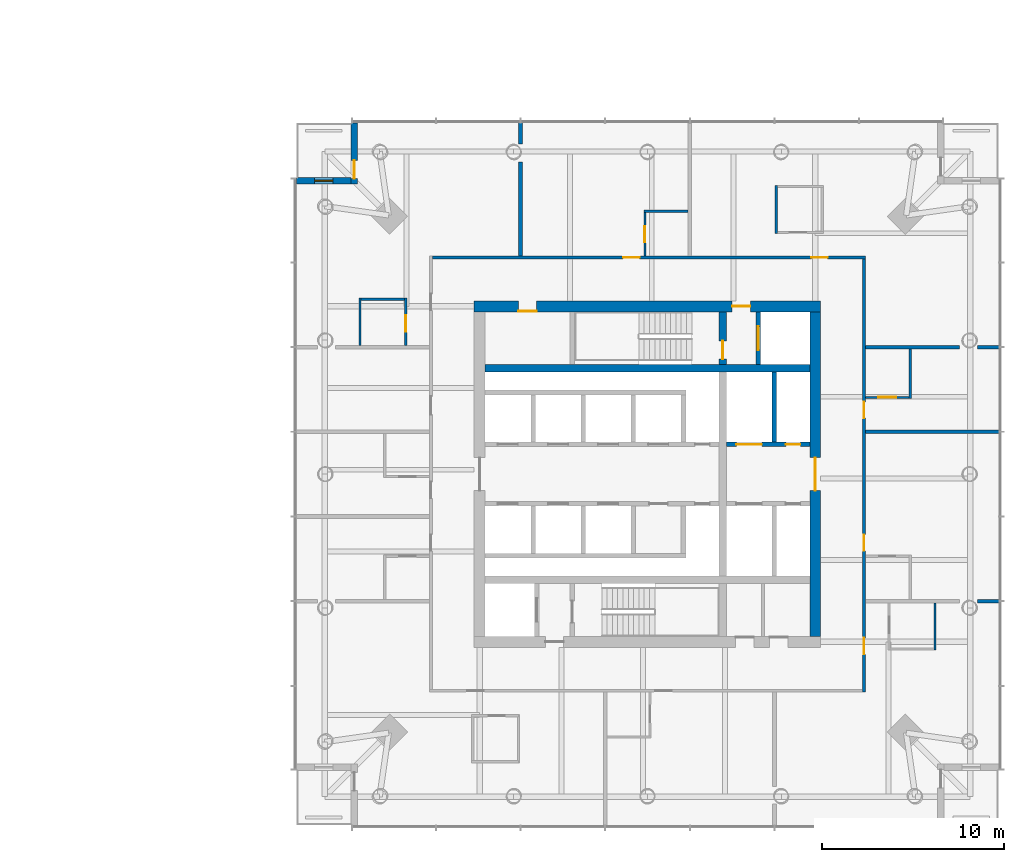
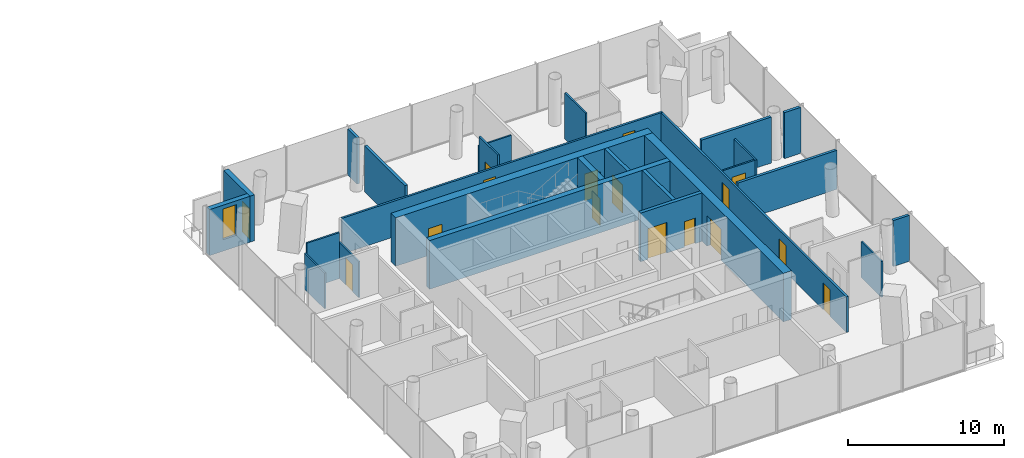
# One storey, part 15 of 26: 26 walls, 16 doors, 1 window, 17 openings.
"""IFC4 building model written with IfcOpenShell, lengths in metres."""

from ifc_helpers import new_model, si_unit, direction, frame, frame_2d, origin, place, context, subcontext, project, spatial, rectangle, extrude, material, layer, layer_set, type_object, element, fill, save


model = new_model("IFC4")

# Units and contexts
model_context = context("Model", 3, precision=1e-05, world=origin(), true_north=direction((0.0, 1.0)))
body_context = subcontext(model_context, "Body", "Model", "MODEL_VIEW")
ifc_project = project(units=[si_unit("LENGTHUNIT", "METRE"), si_unit("AREAUNIT", "SQUARE_METRE"), si_unit("VOLUMEUNIT", "CUBIC_METRE"), si_unit("PLANEANGLEUNIT", "RADIAN"), si_unit("MASSUNIT", "GRAM", prefix="KILO")], contexts=[model_context])

# Site, building, storey
site_placement = place(None, origin())
site = spatial("IfcSite", under=ifc_project, at=site_placement, CompositionType="ELEMENT")
building_placement = place(site_placement, origin())
building = spatial("IfcBuilding", under=site, at=building_placement, Name="Ostroluk Exchange", CompositionType="ELEMENT")
storey_placement = place(building_placement, frame((0.0, 0.0, 51.39990234375)))
storey = spatial("IfcBuildingStorey", under=building, at=storey_placement, Name="L12", CompositionType="ELEMENT", Elevation=51.39990234375)

# Wall
ifc_material_1 = material(Name="Concrete C50/60", Category="concrete")
ifc_layer_1 = layer(ifc_material_1, 0.39990234375)
ifc_layer_set_1 = layer_set([ifc_layer_1], Name="Core cross wall 400 C50/60")
wall_type_1 = type_object("IfcWallType", Name="Core cross wall 400 C50/60", PredefinedType="SHEAR", material=ifc_layer_set_1)
wall_1_placement = place(storey_placement, frame((108.10009765625, 51.800048828125, 0.0), z_axis=(0.0, 0.0, 1.0), x_axis=(1.0, 0.0, 0.0)))
element("IfcWall", 1, at=wall_1_placement, inside=storey, type_object=wall_type_1, Name="T2 core wall XN", PredefinedType="SHEAR", context=body_context, shape_type="SweptSolid", body=[
    extrude(rectangle(XDim=17.7998046875, YDim=0.39990234375, at=frame_2d((8.89990234375, 0.0))), origin(), (0.0, 0.0, 1.0), 3.800048828125),
])

# Wall, opening, door
wall_2_placement = place(storey_placement, frame((121.1298828125, 52.0, 0.0), z_axis=(0.0, 0.0, 1.0), x_axis=(0.0, 1.0, 0.0)))
wall_2 = element("IfcWall", 2, at=wall_2_placement, inside=storey, type_object=wall_type_1, Name="T2 core wall YE3", PredefinedType="SHEAR", context=body_context, shape_type="SweptSolid", body=[
    extrude(rectangle(XDim=2.89990234375, YDim=0.39990234375, at=frame_2d((1.449951171875, 0.0))), origin(), (0.0, 0.0, 1.0), 3.800048828125),
])
opening_1_placement = place(wall_2_placement, frame((0.300048828125, 0.0, 0.0)))
opening_1 = element("IfcOpeningElement", 3, at=opening_1_placement, cuts=wall_2, Name="Opening FD60", PredefinedType="OPENING", context=body_context, shape_type="SweptSolid", body=[
    extrude(rectangle(XDim=1.0, YDim=2.10009765625, at=frame_2d((0.5, 1.050048828125))), frame((0.0, 0.2099609375, 0.0), z_axis=(0.0, -1.0, 0.0), x_axis=(1.0, 0.0, 0.0)), (0.0, 0.0, 1.0), 0.419921875),
])
ifc_material_2 = material(Name="Steel", Category="steel")
door_type_1 = type_object("IfcDoorType", Name="Fire door EI 60 1000 x 2100", OperationType="SINGLE_SWING_LEFT", PredefinedType="DOOR", material=ifc_material_2)
door_1_placement = place(opening_1_placement, origin())
door_1 = element("IfcDoor", 4, at=door_1_placement, inside=storey, type_object=door_type_1, Name="Stair T2-S2 door", OperationType="SINGLE_SWING_LEFT", OverallHeight=2.10009765625, OverallWidth=1.0, PredefinedType="DOOR", context=body_context, shape_type="SweptSolid", body=[
    extrude(rectangle(XDim=1.0, YDim=2.10009765625, at=frame_2d((0.5, 1.050048828125))), frame((0.0, 0.02490234375, 0.0), z_axis=(0.0, -1.0, 0.0), x_axis=(1.0, 0.0, 0.0)), (0.0, 0.0, 1.0), 0.050048828125),
])
fill(opening_1, door_1)

ifc_material_3 = material(Name="Concrete C40/50", Category="concrete")
ifc_layer_2 = layer(ifc_material_3, 0.25)
ifc_layer_set_2 = layer_set([ifc_layer_2], Name="Core shaft wall 250")
wall_type_2 = type_object("IfcWallType", Name="Core shaft wall 250", PredefinedType="SHEAR", material=ifc_layer_set_2)
wall_3_placement = place(storey_placement, frame((123.074951171875, 52.0, 0.0), z_axis=(0.0, 0.0, 1.0), x_axis=(0.0, 1.0, 0.0)))
wall_3 = element("IfcWall", 5, at=wall_3_placement, inside=storey, type_object=wall_type_2, Name="Firefighting lift shaft wall", PredefinedType="SHEAR", context=body_context, shape_type="SweptSolid", body=[
    extrude(rectangle(XDim=2.89990234375, YDim=0.25, at=frame_2d((1.449951171875, 0.0))), origin(), (0.0, 0.0, 1.0), 3.800048828125),
])
opening_2_placement = place(wall_3_placement, frame((0.800048828125, 0.0, 0.0)))
opening_2 = element("IfcOpeningElement", 6, at=opening_2_placement, cuts=wall_3, Name="Opening LD2", PredefinedType="OPENING", context=body_context, shape_type="SweptSolid", body=[
    extrude(rectangle(XDim=1.300048828125, YDim=2.199951171875, at=frame_2d((0.64990234375, 1.10009765625))), frame((0.0, 0.135009765625, 0.0), z_axis=(0.0, -1.0, 0.0), x_axis=(1.0, 0.0, 0.0)), (0.0, 0.0, 1.0), 0.27001953125),
])
ifc_material_4 = material(Name="Stainless steel", Category="steel")
door_type_2 = type_object("IfcDoorType", Name="Lift landing door E 60 1300 x 2200", OperationType="DOUBLE_DOOR_SLIDING", PredefinedType="DOOR", material=ifc_material_4)
door_2_placement = place(opening_2_placement, origin())
door_2 = element("IfcDoor", 7, at=door_2_placement, inside=storey, type_object=door_type_2, Name="Lift HF2 landing door", OperationType="DOUBLE_DOOR_SLIDING", OverallHeight=2.199951171875, OverallWidth=1.300048828125, PredefinedType="DOOR", context=body_context, shape_type="SweptSolid", body=[
    extrude(rectangle(XDim=1.300048828125, YDim=2.199951171875, at=frame_2d((0.64990234375, 1.10009765625))), frame((0.0, 0.02490234375, 0.0), z_axis=(0.0, -1.0, 0.0), x_axis=(1.0, 0.0, 0.0)), (0.0, 0.0, 1.0), 0.050048828125),
])
fill(opening_2, door_2)

# Wall
wall_4_placement = place(storey_placement, frame((123.955078125, 47.75, 0.0), z_axis=(0.0, 0.0, 1.0), x_axis=(0.0, 1.0, 0.0)))
element("IfcWall", 8, at=wall_4_placement, inside=storey, type_object=wall_type_2, Name="Lift shaft wall", PredefinedType="SHEAR", context=body_context, shape_type="SweptSolid", body=[
    extrude(rectangle(XDim=3.85009765625, YDim=0.25, at=frame_2d((1.925048828125, 0.0))), origin(), (0.0, 0.0, 1.0), 3.800048828125),
])

# Wall, openings, doors
wall_5_placement = place(storey_placement, frame((121.330078125, 47.625, 0.0), z_axis=(0.0, 0.0, 1.0), x_axis=(1.0, 0.0, 0.0)))
wall_5 = element("IfcWall", 9, at=wall_5_placement, inside=storey, type_object=wall_type_2, Name="Lift shaft front wall", PredefinedType="SHEAR", context=body_context, shape_type="SweptSolid", body=[
    extrude(rectangle(XDim=4.56982421875, YDim=0.25, at=frame_2d((2.284912109375, 0.0))), origin(), (0.0, 0.0, 1.0), 3.800048828125),
])
opening_3_placement = place(wall_5_placement, frame((0.550048828125, 0.0, 0.0)))
opening_3 = element("IfcOpeningElement", 10, at=opening_3_placement, cuts=wall_5, Name="Opening LD3", PredefinedType="OPENING", context=body_context, shape_type="SweptSolid", body=[
    extrude(rectangle(XDim=1.39990234375, YDim=2.39990234375, at=frame_2d((0.699951171875, 1.199951171875))), frame((0.0, 0.135009765625, 0.0), z_axis=(0.0, -1.0, 0.0), x_axis=(1.0, 0.0, 0.0)), (0.0, 0.0, 1.0), 0.27001953125),
])
opening_4_placement = place(wall_5_placement, frame((3.260009765625, 0.0, 0.0)))
opening_4 = element("IfcOpeningElement", 11, at=opening_4_placement, cuts=wall_5, Name="Opening RD60", PredefinedType="OPENING", context=body_context, shape_type="SweptSolid", body=[
    extrude(rectangle(XDim=0.800048828125, YDim=2.0, at=frame_2d((0.39990234375, 1.0))), frame((0.0, 0.135009765625, 0.0), z_axis=(0.0, -1.0, 0.0), x_axis=(1.0, 0.0, 0.0)), (0.0, 0.0, 1.0), 0.27001953125),
])
ifc_material_5 = material(Name="Stainless steel", Category="steel")
door_type_3 = type_object("IfcDoorType", Name="Goods lift landing door E 60 1400 x 2400", OperationType="DOUBLE_DOOR_SLIDING", PredefinedType="DOOR", material=ifc_material_5)
door_3_placement = place(opening_3_placement, origin())
door_3 = element("IfcDoor", 12, at=door_3_placement, inside=storey, type_object=door_type_3, Name="Lift HS1 landing door", OperationType="DOUBLE_DOOR_SLIDING", OverallHeight=2.39990234375, OverallWidth=1.39990234375, PredefinedType="DOOR", context=body_context, shape_type="SweptSolid", body=[
    extrude(rectangle(XDim=1.39990234375, YDim=2.39990234375, at=frame_2d((0.699951171875, 1.199951171875))), frame((0.0, 0.02490234375, 0.0), z_axis=(0.0, -1.0, 0.0), x_axis=(1.0, 0.0, 0.0)), (0.0, 0.0, 1.0), 0.050048828125),
])
fill(opening_3, door_3)
ifc_material_6 = material(Name="Steel", Category="steel")
door_type_4 = type_object("IfcDoorType", Name="Riser access door EI 60 800 x 2000", OperationType="SINGLE_SWING_LEFT", PredefinedType="DOOR", material=ifc_material_6)
door_4_placement = place(opening_4_placement, origin())
door_4 = element("IfcDoor", 13, at=door_4_placement, inside=storey, type_object=door_type_4, Name="Riser access door", OperationType="SINGLE_SWING_RIGHT", OverallHeight=2.0, OverallWidth=0.800048828125, PredefinedType="DOOR", context=body_context, shape_type="SweptSolid", body=[
    extrude(rectangle(XDim=0.800048828125, YDim=2.0, at=frame_2d((0.39990234375, 1.0))), frame((0.0, 0.02490234375, 0.0), z_axis=(0.0, -1.0, 0.0), x_axis=(1.0, 0.0, 0.0)), (0.0, 0.0, 1.0), 0.050048828125),
])
fill(opening_4, door_4)

ifc_material_7 = material(Name="Concrete C50/60", Category="concrete")
ifc_layer_3 = layer(ifc_material_7, 0.60009765625)
ifc_layer_set_3 = layer_set([ifc_layer_3], Name="Core wall 600 C50/60")
wall_type_3 = type_object("IfcWallType", Name="Core wall 600 C50/60", PredefinedType="SHEAR", material=ifc_layer_set_3)
wall_6_placement = place(storey_placement, frame((107.5, 55.199951171875, 0.0), z_axis=(0.0, 0.0, 1.0), x_axis=(1.0, 0.0, 0.0)))
wall_6 = element("IfcWall", 14, at=wall_6_placement, inside=storey, type_object=wall_type_3, Name="T2 core wall N", PredefinedType="SHEAR", context=body_context, shape_type="SweptSolid", body=[
    extrude(rectangle(XDim=19.0, YDim=0.60009765625, at=frame_2d((9.5, 0.0))), origin(), (0.0, 0.0, 1.0), 3.800048828125),
])
opening_5_placement = place(wall_6_placement, frame((14.139892578125, 0.0, 0.0)))
opening_5 = element("IfcOpeningElement", 15, at=opening_5_placement, cuts=wall_6, Name="Opening FD60", PredefinedType="OPENING", context=body_context, shape_type="SweptSolid", body=[
    extrude(rectangle(XDim=1.0, YDim=2.10009765625, at=frame_2d((0.5, 1.050048828125))), frame((0.0, 0.31005859375, 0.0), z_axis=(0.0, -1.0, 0.0), x_axis=(1.0, 0.0, 0.0)), (0.0, 0.0, 1.0), 0.6201171875),
])
opening_6_placement = place(wall_6_placement, frame((2.425048828125, 0.0, 0.0)))
opening_6 = element("IfcOpeningElement", 16, at=opening_6_placement, cuts=wall_6, Name="Opening FD60", PredefinedType="OPENING", context=body_context, shape_type="SweptSolid", body=[
    extrude(rectangle(XDim=1.0, YDim=2.10009765625, at=frame_2d((0.5, 1.050048828125))), frame((0.0, 0.31005859375, 0.0), z_axis=(0.0, -1.0, 0.0), x_axis=(1.0, 0.0, 0.0)), (0.0, 0.0, 1.0), 0.6201171875),
])
door_5_placement = place(opening_5_placement, origin())
door_5 = element("IfcDoor", 17, at=door_5_placement, inside=storey, type_object=door_type_1, Name="Firefighting lobby door", OperationType="SINGLE_SWING_RIGHT", OverallHeight=2.10009765625, OverallWidth=1.0, PredefinedType="DOOR", context=body_context, shape_type="SweptSolid", body=[
    extrude(rectangle(XDim=1.0, YDim=2.10009765625, at=frame_2d((0.5, 1.050048828125))), frame((0.0, 0.02490234375, 0.0), z_axis=(0.0, -1.0, 0.0), x_axis=(1.0, 0.0, 0.0)), (0.0, 0.0, 1.0), 0.050048828125),
])
fill(opening_5, door_5)
door_6_placement = place(opening_6_placement, origin())
door_6 = element("IfcDoor", 18, at=door_6_placement, inside=storey, type_object=door_type_1, Name="Room-service pantry door", OperationType="SINGLE_SWING_LEFT", OverallHeight=2.10009765625, OverallWidth=1.0, PredefinedType="DOOR", context=body_context, shape_type="SweptSolid", body=[
    extrude(rectangle(XDim=1.0, YDim=2.10009765625, at=frame_2d((0.5, 1.050048828125))), frame((0.0, -0.23974609375, 0.0), z_axis=(0.0, -1.0, 0.0), x_axis=(1.0, 0.0, 0.0)), (0.0, 0.0, 1.0), 0.050048828125),
])
fill(opening_6, door_6)

# Wall, opening, door
wall_7_placement = place(storey_placement, frame((126.199951171875, 37.10009765625, 0.0), z_axis=(0.0, 0.0, 1.0), x_axis=(0.0, 1.0, 0.0)))
wall_7 = element("IfcWall", 19, at=wall_7_placement, inside=storey, type_object=wall_type_3, Name="T2 core wall E", PredefinedType="SHEAR", context=body_context, shape_type="SweptSolid", body=[
    extrude(rectangle(XDim=17.7998046875, YDim=0.60009765625, at=frame_2d((8.89990234375, 0.0))), origin(), (0.0, 0.0, 1.0), 3.800048828125),
])
opening_7_placement = place(wall_7_placement, frame((8.0, 0.0, 0.0)))
opening_7 = element("IfcOpeningElement", 20, at=opening_7_placement, cuts=wall_7, Name="Opening FD30D", PredefinedType="OPENING", context=body_context, shape_type="SweptSolid", body=[
    extrude(rectangle(XDim=1.800048828125, YDim=2.39990234375, at=frame_2d((0.89990234375, 1.199951171875))), frame((0.0, 0.31005859375, 0.0), z_axis=(0.0, -1.0, 0.0), x_axis=(1.0, 0.0, 0.0)), (0.0, 0.0, 1.0), 0.6201171875),
])
ifc_material_8 = material(Name="Timber", Category="wood")
door_type_5 = type_object("IfcDoorType", Name="Lobby double door EI 30 1800 x 2400", OperationType="DOUBLE_DOOR_SINGLE_SWING", PredefinedType="DOOR", material=ifc_material_8)
door_7_placement = place(opening_7_placement, origin())
door_7 = element("IfcDoor", 21, at=door_7_placement, inside=storey, type_object=door_type_5, Name="Lift lobby doors", OperationType="DOUBLE_DOOR_SINGLE_SWING", OverallHeight=2.39990234375, OverallWidth=1.800048828125, PredefinedType="DOOR", context=body_context, shape_type="SweptSolid", body=[
    extrude(rectangle(XDim=1.800048828125, YDim=2.39990234375, at=frame_2d((0.89990234375, 1.199951171875))), frame((0.0, 0.02490234375, 0.0), z_axis=(0.0, -1.0, 0.0), x_axis=(1.0, 0.0, 0.0)), (0.0, 0.0, 1.0), 0.050048828125),
])
fill(opening_7, door_7)

ifc_material_9 = material(Name="Limestone", Category="masonry")
ifc_layer_4 = layer(ifc_material_9, 0.35009765625)
ifc_layer_set_4 = layer_set([ifc_layer_4], Name="Limestone facade wall 350")
wall_type_4 = type_object("IfcWallType", Name="Limestone facade wall 350", PredefinedType="SOLIDWALL", material=ifc_layer_set_4)
wall_8_placement = place(storey_placement, frame((100.925048828125, 65.25, 0.0), z_axis=(0.0, 0.0, 1.0), x_axis=(0.0, -1.0, 0.0)))
wall_8 = element("IfcWall", 22, at=wall_8_placement, inside=storey, type_object=wall_type_4, Name="Hotel tower NW corner wall L12 a", PredefinedType="SOLIDWALL", context=body_context, shape_type="SweptSolid", body=[
    extrude(rectangle(XDim=3.35009765625, YDim=0.35009765625, at=frame_2d((1.675048828125, 0.0))), origin(), (0.0, 0.0, 1.0), 3.60009765625),
])
opening_8_placement = place(wall_8_placement, frame((2.050048828125, 0.0, 0.0)))
opening_8 = element("IfcOpeningElement", 23, at=opening_8_placement, cuts=wall_8, Name="Opening D-B1", PredefinedType="OPENING", context=body_context, shape_type="SweptSolid", body=[
    extrude(rectangle(XDim=1.0, YDim=2.39990234375, at=frame_2d((0.5, 1.199951171875))), frame((0.0, 0.18505859375, 0.0), z_axis=(0.0, -1.0, 0.0), x_axis=(1.0, 0.0, 0.0)), (0.0, 0.0, 1.0), 0.3701171875),
])
ifc_material_10 = material(Name="Bronze framed glazed door", Category="aluminium")
door_type_6 = type_object("IfcDoorType", Name="Balcony door 1000 x 2400", OperationType="SINGLE_SWING_LEFT", PredefinedType="DOOR", material=ifc_material_10)
door_8_placement = place(opening_8_placement, origin())
door_8 = element("IfcDoor", 24, at=door_8_placement, inside=storey, type_object=door_type_6, Name="Hotel tower NW balcony door L12", OperationType="SINGLE_SWING_RIGHT", OverallHeight=2.39990234375, OverallWidth=1.0, PredefinedType="DOOR", context=body_context, shape_type="SweptSolid", body=[
    extrude(rectangle(XDim=1.0, YDim=2.39990234375, at=frame_2d((0.5, 1.199951171875))), frame((0.0, 0.02490234375, 0.0), z_axis=(0.0, -1.0, 0.0), x_axis=(1.0, 0.0, 0.0)), (0.0, 0.0, 1.0), 0.050048828125),
])
fill(opening_8, door_8)

# Wall, opening, window
wall_9_placement = place(storey_placement, frame((100.75, 62.074951171875, 0.0), z_axis=(0.0, 0.0, 1.0), x_axis=(-1.0, 0.0, 0.0)))
wall_9 = element("IfcWall", 25, at=wall_9_placement, inside=storey, type_object=wall_type_4, Name="Hotel tower NW corner wall L12 b", PredefinedType="SOLIDWALL", context=body_context, shape_type="SweptSolid", body=[
    extrude(rectangle(XDim=3.0, YDim=0.35009765625, at=frame_2d((1.5, 0.0))), origin(), (0.0, 0.0, 1.0), 3.60009765625),
])
opening_9_placement = place(wall_9_placement, frame((1.0, 0.0, 0.89990234375)))
opening_9 = element("IfcOpeningElement", 26, at=opening_9_placement, cuts=wall_9, Name="Opening WN-L3", PredefinedType="OPENING", context=body_context, shape_type="SweptSolid", body=[
    extrude(rectangle(XDim=1.0, YDim=2.39990234375, at=frame_2d((0.5, 1.199951171875))), frame((0.0, 0.18505859375, 0.0), z_axis=(0.0, -1.0, 0.0), x_axis=(1.0, 0.0, 0.0)), (0.0, 0.0, 1.0), 0.3701171875),
])
ifc_material_11 = material(Name="Laminated clear glass", Category="glass")
window_type = type_object("IfcWindowType", Name="Hotel lancet window 1000 x 2400", PartitioningType="SINGLE_PANEL", PredefinedType="WINDOW", material=ifc_material_11)
window_placement = place(opening_9_placement, origin())
window = element("IfcWindow", 27, at=window_placement, inside=storey, type_object=window_type, Name="Hotel tower NW lancet window L12", OverallHeight=2.39990234375, OverallWidth=1.0, PartitioningType="SINGLE_PANEL", PredefinedType="WINDOW", context=body_context, shape_type="SweptSolid", body=[
    extrude(rectangle(XDim=1.0, YDim=2.39990234375, at=frame_2d((0.5, 1.199951171875))), frame((0.0, 0.030029296875, 0.0), z_axis=(0.0, -1.0, 0.0), x_axis=(1.0, 0.0, 0.0)), (0.0, 0.0, 1.0), 0.06005859375),
])
fill(opening_9, window)

# Walls
ifc_material_12 = material(Name="Gypsum plasterboard partition, moisture resistant", Category="gypsum")
ifc_layer_5 = layer(ifc_material_12, 0.1201171875)
ifc_layer_set_5 = layer_set([ifc_layer_5], Name="Plasterboard en-suite wall 120")
wall_type_5 = type_object("IfcWallType", Name="Plasterboard en-suite wall 120", PredefinedType="PARTITIONING", material=ifc_layer_set_5)
wall_10_placement = place(storey_placement, frame((132.77001953125, 38.935791015625, 0.0), z_axis=(0.0, 0.0, 1.0), x_axis=(0.0, -1.0, 0.0)))
element("IfcWall", 28, at=wall_10_placement, inside=storey, type_object=wall_type_5, Name="En-suite wall", PredefinedType="PARTITIONING", context=body_context, shape_type="SweptSolid", body=[
    extrude(rectangle(XDim=2.580078125, YDim=0.1201171875, at=frame_2d((1.2900390625, 0.0))), origin(), (0.0, 0.0, 1.0), 2.800048828125),
])
wall_11_placement = place(storey_placement, frame((131.409912109375, 50.144287109375, 0.0), z_axis=(0.0, 0.0, 1.0), x_axis=(0.0, 1.0, 0.0)))
element("IfcWall", 29, at=wall_11_placement, inside=storey, type_object=wall_type_5, Name="En-suite wall", PredefinedType="PARTITIONING", context=body_context, shape_type="SweptSolid", body=[
    extrude(rectangle(XDim=2.719970703125, YDim=0.1201171875, at=frame_2d((1.35986328125, 0.0))), origin(), (0.0, 0.0, 1.0), 2.84716796875),
])

# Wall, opening, door
wall_12_placement = place(storey_placement, frame((128.949951171875, 50.204345703125, 0.0), z_axis=(0.0, 0.0, 1.0), x_axis=(1.0, 0.0, 0.0)))
wall_12 = element("IfcWall", 30, at=wall_12_placement, inside=storey, type_object=wall_type_5, Name="En-suite wall", PredefinedType="PARTITIONING", context=body_context, shape_type="SweptSolid", body=[
    extrude(rectangle(XDim=2.400146484375, YDim=0.1201171875, at=frame_2d((1.2001953125, 0.0))), origin(), (0.0, 0.0, 1.0), 2.84716796875),
])
opening_10_placement = place(wall_12_placement, frame((0.699951171875, 0.0, 0.0)))
opening_10 = element("IfcOpeningElement", 31, at=opening_10_placement, cuts=wall_12, Name="Opening D-03", PredefinedType="OPENING", context=body_context, shape_type="SweptSolid", body=[
    extrude(rectangle(XDim=1.0, YDim=2.10009765625, at=frame_2d((0.5, 1.050048828125))), frame((0.0, 0.070068359375, 0.0), z_axis=(0.0, -1.0, 0.0), x_axis=(1.0, 0.0, 0.0)), (0.0, 0.0, 1.0), 0.14013671875),
])
ifc_material_13 = material(Name="Timber", Category="wood")
door_type_7 = type_object("IfcDoorType", Name="Internal door 1000 x 2100", OperationType="SINGLE_SWING_LEFT", PredefinedType="DOOR", material=ifc_material_13)
door_9_placement = place(opening_10_placement, origin())
door_9 = element("IfcDoor", 32, at=door_9_placement, inside=storey, type_object=door_type_7, Name="En-suite door 1203", OperationType="SINGLE_SWING_LEFT", OverallHeight=2.10009765625, OverallWidth=1.0, PredefinedType="DOOR", context=body_context, shape_type="SweptSolid", body=[
    extrude(rectangle(XDim=1.0, YDim=2.10009765625, at=frame_2d((0.5, 1.050048828125))), frame((0.0, 0.02490234375, 0.0), z_axis=(0.0, -1.0, 0.0), x_axis=(1.0, 0.0, 0.0)), (0.0, 0.0, 1.0), 0.050048828125),
])
fill(opening_10, door_9)

# Walls
wall_13_placement = place(storey_placement, frame((124.064208984375, 59.18994140625, 0.0), z_axis=(0.0, 0.0, 1.0), x_axis=(0.0, 1.0, 0.0)))
element("IfcWall", 33, at=wall_13_placement, inside=storey, type_object=wall_type_5, Name="En-suite wall", PredefinedType="PARTITIONING", context=body_context, shape_type="SweptSolid", body=[
    extrude(rectangle(XDim=2.64013671875, YDim=0.1201171875, at=frame_2d((1.320068359375, 0.0))), origin(), (0.0, 0.0, 1.0), 3.60009765625),
])
wall_14_placement = place(storey_placement, frame((119.221435546875, 60.409912109375, 0.0), z_axis=(0.0, 0.0, 1.0), x_axis=(-1.0, 0.0, 0.0)))
element("IfcWall", 34, at=wall_14_placement, inside=storey, type_object=wall_type_5, Name="En-suite wall", PredefinedType="PARTITIONING", context=body_context, shape_type="SweptSolid", body=[
    extrude(rectangle(XDim=2.419921875, YDim=0.1201171875, at=frame_2d((1.2099609375, 0.0))), origin(), (0.0, 0.0, 1.0), 2.84716796875),
])

# Wall, opening, door
wall_15_placement = place(storey_placement, frame((116.861328125, 57.949951171875, 0.0), z_axis=(0.0, 0.0, 1.0), x_axis=(0.0, 1.0, 0.0)))
wall_15 = element("IfcWall", 35, at=wall_15_placement, inside=storey, type_object=wall_type_5, Name="En-suite wall", PredefinedType="PARTITIONING", context=body_context, shape_type="SweptSolid", body=[
    extrude(rectangle(XDim=2.400146484375, YDim=0.1201171875, at=frame_2d((1.2001953125, 0.0))), origin(), (0.0, 0.0, 1.0), 3.60009765625),
])
opening_11_placement = place(wall_15_placement, frame((0.75, 0.0, 0.0)))
opening_11 = element("IfcOpeningElement", 36, at=opening_11_placement, cuts=wall_15, Name="Opening D-02", PredefinedType="OPENING", context=body_context, shape_type="SweptSolid", body=[
    extrude(rectangle(XDim=0.89990234375, YDim=2.10009765625, at=frame_2d((0.449951171875, 1.050048828125))), frame((0.0, 0.070068359375, 0.0), z_axis=(0.0, -1.0, 0.0), x_axis=(1.0, 0.0, 0.0)), (0.0, 0.0, 1.0), 0.14013671875),
])
ifc_material_14 = material(Name="Timber", Category="wood")
door_type_8 = type_object("IfcDoorType", Name="En-suite door 900 x 2100", OperationType="SINGLE_SWING_LEFT", PredefinedType="DOOR", material=ifc_material_14)
door_10_placement = place(opening_11_placement, origin())
door_10 = element("IfcDoor", 37, at=door_10_placement, inside=storey, type_object=door_type_8, Name="En-suite door 1205", OperationType="SINGLE_SWING_RIGHT", OverallHeight=2.10009765625, OverallWidth=0.89990234375, PredefinedType="DOOR", context=body_context, shape_type="SweptSolid", body=[
    extrude(rectangle(XDim=0.89990234375, YDim=2.10009765625, at=frame_2d((0.449951171875, 1.050048828125))), frame((0.0, 0.02490234375, 0.0), z_axis=(0.0, -1.0, 0.0), x_axis=(1.0, 0.0, 0.0)), (0.0, 0.0, 1.0), 0.050048828125),
])
fill(opening_11, door_10)

wall_16_placement = place(storey_placement, frame((103.75, 53.064208984375, 0.0), z_axis=(0.0, 0.0, 1.0), x_axis=(0.0, 1.0, 0.0)))
wall_16 = element("IfcWall", 38, at=wall_16_placement, inside=storey, type_object=wall_type_5, Name="En-suite wall", PredefinedType="PARTITIONING", context=body_context, shape_type="SweptSolid", body=[
    extrude(rectangle(XDim=2.580078125, YDim=0.1201171875, at=frame_2d((1.2900390625, 0.0))), origin(), (0.0, 0.0, 1.0), 2.800048828125),
])
opening_12_placement = place(wall_16_placement, frame((0.75, 0.0, 0.0)))
opening_12 = element("IfcOpeningElement", 39, at=opening_12_placement, cuts=wall_16, Name="Opening D-02", PredefinedType="OPENING", context=body_context, shape_type="SweptSolid", body=[
    extrude(rectangle(XDim=0.89990234375, YDim=2.10009765625, at=frame_2d((0.449951171875, 1.050048828125))), frame((0.0, 0.070068359375, 0.0), z_axis=(0.0, -1.0, 0.0), x_axis=(1.0, 0.0, 0.0)), (0.0, 0.0, 1.0), 0.14013671875),
])
door_11_placement = place(opening_12_placement, origin())
door_11 = element("IfcDoor", 40, at=door_11_placement, inside=storey, type_object=door_type_8, Name="En-suite door 1206", OperationType="SINGLE_SWING_LEFT", OverallHeight=2.10009765625, OverallWidth=0.89990234375, PredefinedType="DOOR", context=body_context, shape_type="SweptSolid", body=[
    extrude(rectangle(XDim=0.89990234375, YDim=2.10009765625, at=frame_2d((0.449951171875, 1.050048828125))), frame((0.0, 0.02490234375, 0.0), z_axis=(0.0, -1.0, 0.0), x_axis=(1.0, 0.0, 0.0)), (0.0, 0.0, 1.0), 0.050048828125),
])
fill(opening_12, door_11)

# Walls
wall_17_placement = place(storey_placement, frame((101.22998046875, 53.064208984375, 0.0), z_axis=(0.0, 0.0, 1.0), x_axis=(0.0, 1.0, 0.0)))
element("IfcWall", 41, at=wall_17_placement, inside=storey, type_object=wall_type_5, Name="En-suite wall", PredefinedType="PARTITIONING", context=body_context, shape_type="SweptSolid", body=[
    extrude(rectangle(XDim=2.580078125, YDim=0.1201171875, at=frame_2d((1.2900390625, 0.0))), origin(), (0.0, 0.0, 1.0), 2.800048828125),
])
wall_18_placement = place(storey_placement, frame((103.68994140625, 55.584228515625, 0.0), z_axis=(0.0, 0.0, 1.0), x_axis=(-1.0, 0.0, 0.0)))
element("IfcWall", 42, at=wall_18_placement, inside=storey, type_object=wall_type_5, Name="En-suite wall", PredefinedType="PARTITIONING", context=body_context, shape_type="SweptSolid", body=[
    extrude(rectangle(XDim=2.39990234375, YDim=0.1201171875, at=frame_2d((1.199951171875, 0.0))), origin(), (0.0, 0.0, 1.0), 3.60009765625),
])

# Wall, openings, doors
ifc_material_15 = material(Name="Gypsum plasterboard partition", Category="gypsum")
ifc_layer_6 = layer(ifc_material_15, 0.14990234375)
ifc_layer_set_6 = layer_set([ifc_layer_6], Name="Plasterboard partition 150")
wall_type_6 = type_object("IfcWallType", Name="Plasterboard partition 150", PredefinedType="PARTITIONING", material=ifc_layer_set_6)
wall_19_placement = place(storey_placement, frame((128.875, 34.050048828125, 0.0), z_axis=(0.0, 0.0, 1.0), x_axis=(0.0, 1.0, 0.0)))
wall_19 = element("IfcWall", 43, at=wall_19_placement, inside=storey, type_object=wall_type_6, Name="Corridor wall", PredefinedType="PARTITIONING", context=body_context, shape_type="SweptSolid", body=[
    extrude(rectangle(XDim=23.75, YDim=0.14990234375, at=frame_2d((11.875, 0.0))), origin(), (0.0, 0.0, 1.0), 2.800048828125),
])
opening_13_placement = place(wall_19_placement, frame((2.06787109375, 0.0, 0.0)))
opening_13 = element("IfcOpeningElement", 44, at=opening_13_placement, cuts=wall_19, Name="Opening D-01", PredefinedType="OPENING", context=body_context, shape_type="SweptSolid", body=[
    extrude(rectangle(XDim=0.89990234375, YDim=2.10009765625, at=frame_2d((0.449951171875, 1.050048828125))), frame((0.0, 0.0849609375, 0.0), z_axis=(0.0, -1.0, 0.0), x_axis=(1.0, 0.0, 0.0)), (0.0, 0.0, 1.0), 0.169921875),
])
opening_14_placement = place(wall_19_placement, frame((7.735595703125, 0.0, 0.0)))
opening_14 = element("IfcOpeningElement", 45, at=opening_14_placement, cuts=wall_19, Name="Opening D-01", PredefinedType="OPENING", context=body_context, shape_type="SweptSolid", body=[
    extrude(rectangle(XDim=0.89990234375, YDim=2.10009765625, at=frame_2d((0.449951171875, 1.050048828125))), frame((0.0, 0.0849609375, 0.0), z_axis=(0.0, -1.0, 0.0), x_axis=(1.0, 0.0, 0.0)), (0.0, 0.0, 1.0), 0.169921875),
])
opening_15_placement = place(wall_19_placement, frame((15.014404296875, 0.0, 0.0)))
opening_15 = element("IfcOpeningElement", 46, at=opening_15_placement, cuts=wall_19, Name="Opening D-01", PredefinedType="OPENING", context=body_context, shape_type="SweptSolid", body=[
    extrude(rectangle(XDim=0.89990234375, YDim=2.10009765625, at=frame_2d((0.449951171875, 1.050048828125))), frame((0.0, 0.0849609375, 0.0), z_axis=(0.0, -1.0, 0.0), x_axis=(1.0, 0.0, 0.0)), (0.0, 0.0, 1.0), 0.169921875),
])
ifc_material_16 = material(Name="Timber", Category="wood")
door_type_9 = type_object("IfcDoorType", Name="Hotel room door EI 30 Sa 900 x 2100", OperationType="SINGLE_SWING_LEFT", PredefinedType="DOOR", material=ifc_material_16)
door_12_placement = place(opening_13_placement, origin())
door_12 = element("IfcDoor", 47, at=door_12_placement, inside=storey, type_object=door_type_9, Name="Room door 1201", OperationType="SINGLE_SWING_LEFT", OverallHeight=2.10009765625, OverallWidth=0.89990234375, PredefinedType="DOOR", context=body_context, shape_type="SweptSolid", body=[
    extrude(rectangle(XDim=0.89990234375, YDim=2.10009765625, at=frame_2d((0.449951171875, 1.050048828125))), frame((0.0, 0.02490234375, 0.0), z_axis=(0.0, -1.0, 0.0), x_axis=(1.0, 0.0, 0.0)), (0.0, 0.0, 1.0), 0.050048828125),
])
fill(opening_13, door_12)
door_13_placement = place(opening_14_placement, origin())
door_13 = element("IfcDoor", 48, at=door_13_placement, inside=storey, type_object=door_type_9, Name="Room door 1202", OperationType="SINGLE_SWING_LEFT", OverallHeight=2.10009765625, OverallWidth=0.89990234375, PredefinedType="DOOR", context=body_context, shape_type="SweptSolid", body=[
    extrude(rectangle(XDim=0.89990234375, YDim=2.10009765625, at=frame_2d((0.449951171875, 1.050048828125))), frame((0.0, 0.02490234375, 0.0), z_axis=(0.0, -1.0, 0.0), x_axis=(1.0, 0.0, 0.0)), (0.0, 0.0, 1.0), 0.050048828125),
])
fill(opening_14, door_13)
door_14_placement = place(opening_15_placement, origin())
door_14 = element("IfcDoor", 49, at=door_14_placement, inside=storey, type_object=door_type_9, Name="Room door 1203", OperationType="SINGLE_SWING_RIGHT", OverallHeight=2.10009765625, OverallWidth=0.89990234375, PredefinedType="DOOR", context=body_context, shape_type="SweptSolid", body=[
    extrude(rectangle(XDim=0.89990234375, YDim=2.10009765625, at=frame_2d((0.449951171875, 1.050048828125))), frame((0.0, 0.02490234375, 0.0), z_axis=(0.0, -1.0, 0.0), x_axis=(1.0, 0.0, 0.0)), (0.0, 0.0, 1.0), 0.050048828125),
])
fill(opening_15, door_14)

wall_20_placement = place(storey_placement, frame((128.949951171875, 57.875, 0.0), z_axis=(0.0, 0.0, 1.0), x_axis=(-1.0, 0.0, 0.0)))
wall_20 = element("IfcWall", 50, at=wall_20_placement, inside=storey, type_object=wall_type_6, Name="Corridor wall", PredefinedType="PARTITIONING", context=body_context, shape_type="SweptSolid", body=[
    extrude(rectangle(XDim=23.75, YDim=0.14990234375, at=frame_2d((11.875, 0.0))), origin(), (0.0, 0.0, 1.0), 2.800048828125),
])
opening_16_placement = place(wall_20_placement, frame((2.06787109375, 0.0, 0.0)))
opening_16 = element("IfcOpeningElement", 51, at=opening_16_placement, cuts=wall_20, Name="Opening D-01", PredefinedType="OPENING", context=body_context, shape_type="SweptSolid", body=[
    extrude(rectangle(XDim=0.89990234375, YDim=2.10009765625, at=frame_2d((0.449951171875, 1.050048828125))), frame((0.0, 0.0849609375, 0.0), z_axis=(0.0, -1.0, 0.0), x_axis=(1.0, 0.0, 0.0)), (0.0, 0.0, 1.0), 0.169921875),
])
opening_17_placement = place(wall_20_placement, frame((12.378662109375, 0.0, 0.0)))
opening_17 = element("IfcOpeningElement", 52, at=opening_17_placement, cuts=wall_20, Name="Opening D-01", PredefinedType="OPENING", context=body_context, shape_type="SweptSolid", body=[
    extrude(rectangle(XDim=0.89990234375, YDim=2.10009765625, at=frame_2d((0.449951171875, 1.050048828125))), frame((0.0, 0.0849609375, 0.0), z_axis=(0.0, -1.0, 0.0), x_axis=(1.0, 0.0, 0.0)), (0.0, 0.0, 1.0), 0.169921875),
])
door_15_placement = place(opening_16_placement, origin())
door_15 = element("IfcDoor", 53, at=door_15_placement, inside=storey, type_object=door_type_9, Name="Room door 1204", OperationType="SINGLE_SWING_LEFT", OverallHeight=2.10009765625, OverallWidth=0.89990234375, PredefinedType="DOOR", context=body_context, shape_type="SweptSolid", body=[
    extrude(rectangle(XDim=0.89990234375, YDim=2.10009765625, at=frame_2d((0.449951171875, 1.050048828125))), frame((0.0, 0.02490234375, 0.0), z_axis=(0.0, -1.0, 0.0), x_axis=(1.0, 0.0, 0.0)), (0.0, 0.0, 1.0), 0.050048828125),
])
fill(opening_16, door_15)
door_16_placement = place(opening_17_placement, origin())
door_16 = element("IfcDoor", 54, at=door_16_placement, inside=storey, type_object=door_type_9, Name="Room door 1205", OperationType="SINGLE_SWING_RIGHT", OverallHeight=2.10009765625, OverallWidth=0.89990234375, PredefinedType="DOOR", context=body_context, shape_type="SweptSolid", body=[
    extrude(rectangle(XDim=0.89990234375, YDim=2.10009765625, at=frame_2d((0.449951171875, 1.050048828125))), frame((0.0, 0.02490234375, 0.0), z_axis=(0.0, -1.0, 0.0), x_axis=(1.0, 0.0, 0.0)), (0.0, 0.0, 1.0), 0.050048828125),
])
fill(opening_17, door_16)

# Walls
ifc_material_17 = material(Name="Gypsum plasterboard partition", Category="gypsum")
ifc_layer_7 = layer(ifc_material_17, 0.199951171875)
ifc_layer_set_7 = layer_set([ifc_layer_7], Name="Plasterboard party wall 200")
wall_type_7 = type_object("IfcWallType", Name="Plasterboard party wall 200", PredefinedType="PARTITIONING", material=ifc_layer_set_7)
wall_21_placement = place(storey_placement, frame((135.09619140625, 39.03564453125, 0.0), z_axis=(0.0, 0.0, 1.0), x_axis=(1.0, 0.0, 0.0)))
element("IfcWall", 55, at=wall_21_placement, inside=storey, type_object=wall_type_7, Name="Party wall", PredefinedType="PARTITIONING", context=body_context, shape_type="SweptSolid", body=[
    extrude(rectangle(XDim=1.19384765625, YDim=0.199951171875, at=frame_2d((0.596923828125, 0.0))), origin(), (0.0, 0.0, 1.0), 3.60009765625),
])
wall_22_placement = place(storey_placement, frame((128.949951171875, 48.321533203125, 0.0), z_axis=(0.0, 0.0, 1.0), x_axis=(1.0, 0.0, 0.0)))
element("IfcWall", 56, at=wall_22_placement, inside=storey, type_object=wall_type_7, Name="Party wall", PredefinedType="PARTITIONING", context=body_context, shape_type="SweptSolid", body=[
    extrude(rectangle(XDim=7.340087890625, YDim=0.199951171875, at=frame_2d((3.669921875, 0.0))), origin(), (0.0, 0.0, 1.0), 3.050048828125),
])
wall_23_placement = place(storey_placement, frame((128.949951171875, 52.96435546875, 0.0), z_axis=(0.0, 0.0, 1.0), x_axis=(1.0, 0.0, 0.0)))
element("IfcWall", 57, at=wall_23_placement, inside=storey, type_object=wall_type_7, Name="Party wall", PredefinedType="PARTITIONING", context=body_context, shape_type="SweptSolid", body=[
    extrude(rectangle(XDim=5.16943359375, YDim=0.199951171875, at=frame_2d((2.584716796875, 0.0))), origin(), (0.0, 0.0, 1.0), 3.60009765625),
])
wall_24_placement = place(storey_placement, frame((135.09619140625, 52.96435546875, 0.0), z_axis=(0.0, 0.0, 1.0), x_axis=(1.0, 0.0, 0.0)))
element("IfcWall", 58, at=wall_24_placement, inside=storey, type_object=wall_type_7, Name="Party wall", PredefinedType="PARTITIONING", context=body_context, shape_type="SweptSolid", body=[
    extrude(rectangle(XDim=1.19384765625, YDim=0.199951171875, at=frame_2d((0.596923828125, 0.0))), origin(), (0.0, 0.0, 1.0), 3.60009765625),
])
wall_25_placement = place(storey_placement, frame((110.03564453125, 57.949951171875, 0.0), z_axis=(0.0, 0.0, 1.0), x_axis=(0.0, 1.0, 0.0)))
element("IfcWall", 59, at=wall_25_placement, inside=storey, type_object=wall_type_7, Name="Party wall", PredefinedType="PARTITIONING", context=body_context, shape_type="SweptSolid", body=[
    extrude(rectangle(XDim=5.16943359375, YDim=0.199951171875, at=frame_2d((2.584716796875, 0.0))), origin(), (0.0, 0.0, 1.0), 3.60009765625),
])
wall_26_placement = place(storey_placement, frame((110.03564453125, 64.09619140625, 0.0), z_axis=(0.0, 0.0, 1.0), x_axis=(0.0, 1.0, 0.0)))
element("IfcWall", 60, at=wall_26_placement, inside=storey, type_object=wall_type_7, Name="Party wall", PredefinedType="PARTITIONING", context=body_context, shape_type="SweptSolid", body=[
    extrude(rectangle(XDim=1.19384765625, YDim=0.199951171875, at=frame_2d((0.596923828125, 0.0))), origin(), (0.0, 0.0, 1.0), 3.60009765625),
])

save(model, "model.ifc")
